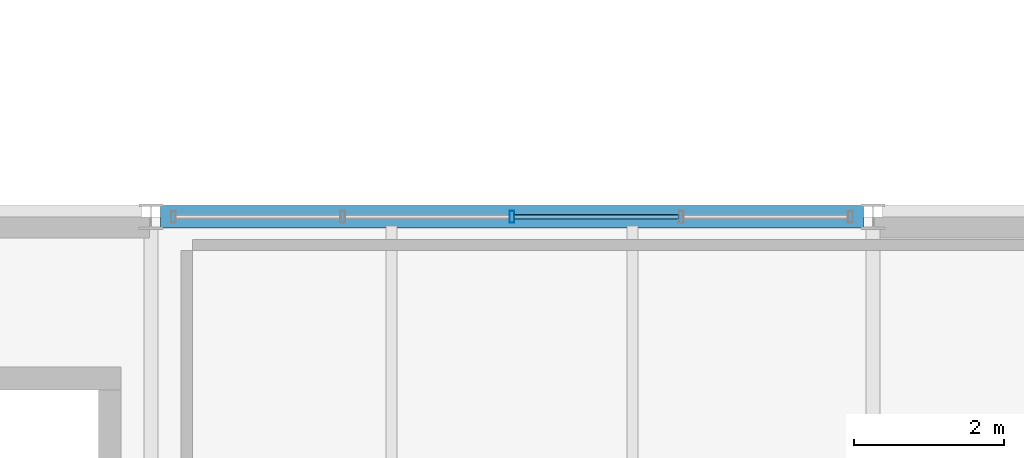
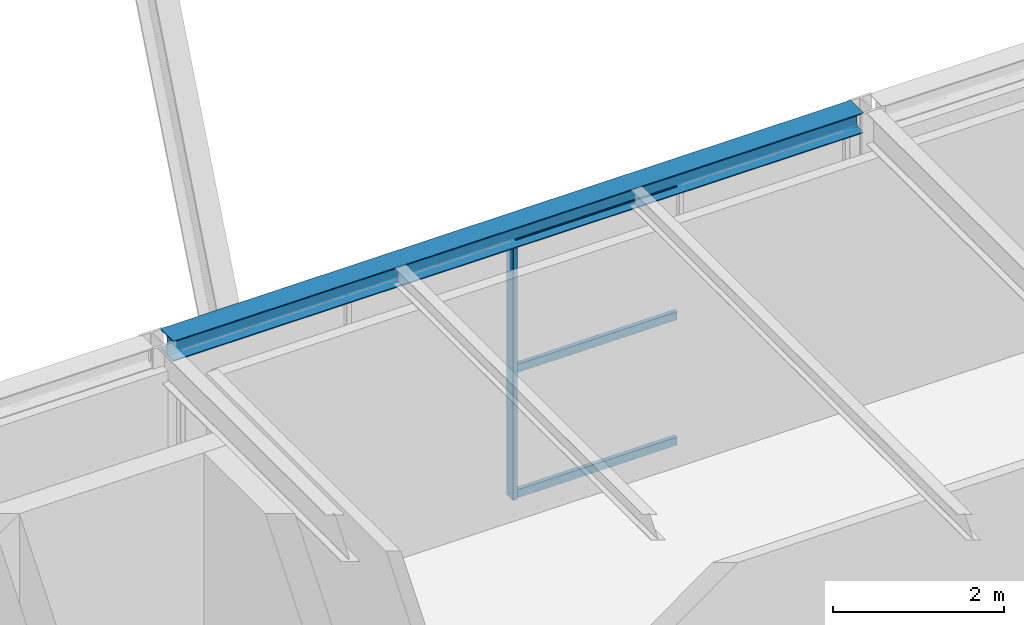
# One storey, part 32 of 126: 4 members, 1 beam, 1 element without a shape of its own.
"""IFC4 building model written with IfcOpenShell, lengths in metres."""

from ifc_helpers import new_model, si_unit, direction, frame, origin, origin_2d, place, context, subcontext, project, spatial, hollow_rectangle, i_section, extrude, material, material_profile, profile_set, type_object, element, aggregate, save


model = new_model("IFC4")

# Units and contexts
model_context = context("Model", 3, precision=1e-05, world=origin(), true_north=direction((0.0, 1.0)))
body_context = subcontext(model_context, "Body", "Model", "MODEL_VIEW")
ifc_project = project(units=[si_unit("LENGTHUNIT", "METRE"), si_unit("AREAUNIT", "SQUARE_METRE"), si_unit("VOLUMEUNIT", "CUBIC_METRE"), si_unit("PLANEANGLEUNIT", "RADIAN"), si_unit("MASSUNIT", "GRAM", prefix="KILO")], contexts=[model_context])

# Site, building, storey
site_placement = place(None, origin())
site = spatial("IfcSite", under=ifc_project, at=site_placement, CompositionType="ELEMENT")
building_placement = place(site_placement, origin())
building = spatial("IfcBuilding", under=site, at=building_placement, Name="Coralgate Yard Interchange", CompositionType="ELEMENT")
storey_placement = place(building_placement, frame((0.0, 0.0, 10.5)))
storey = spatial("IfcBuildingStorey", under=building, at=storey_placement, Name="L02", CompositionType="ELEMENT", Elevation=10.5)

# Beam
ifc_material_1 = material(Name="Structural steel S355J2", Category="steel")
ifc_material_profile_1 = material_profile(ifc_material_1, i_section(OverallWidth=0.300048828125, OverallDepth=0.2900390625, WebThickness=0.008544921875, FlangeThickness=0.013916015625, FilletRadius=0.027099609375, at=origin_2d()), Name="HEA 300")
ifc_profile_set_1 = profile_set([ifc_material_profile_1], Name="Structural steel S355J2")
beam_type = type_object("IfcBeamType", Name="BM-SP-2", PredefinedType="SPANDREL", material=ifc_profile_set_1)
beam_placement = place(storey_placement, frame((57.727294921875, 19.199951171875, 3.804931640625), z_axis=(1.0, 0.0, 0.0), x_axis=(0.0, 1.0, 0.0)))
element("IfcBeam", 1, at=beam_placement, inside=storey, type_object=beam_type, Name="L02 primary grid beam Y2 X6-7", PredefinedType="SPANDREL", context=body_context, shape_type="SweptSolid", body=[
    extrude(i_section(OverallWidth=0.300048828125, OverallDepth=0.2900390625, WebThickness=0.008544921875, FlangeThickness=0.013916015625, FilletRadius=0.027099609375, at=origin_2d()), origin(), (0.0, 0.0, 1.0), 9.345458984375),
])

# Curtain wall, members
ifc_material_2 = material(Name="Anodised coastal aluminium and solar-control low-E glass", Category="aluminium")
curtain_wall_type = type_object("IfcCurtainWallType", Name="CW-CW-L02-A", PredefinedType="NOTDEFINED", material=ifc_material_2)
curtain_wall_placement = place(storey_placement, origin())
curtain_wall = element("IfcCurtainWall", 2, at=curtain_wall_placement, inside=storey, type_object=curtain_wall_type, Name="L02 unitised curtain wall CW-L02-N-06-01", PredefinedType="NOTDEFINED")
ifc_material_3 = material(Name="Anodised coastal aluminium 6063-T6", Category="aluminium")
ifc_material_profile_2 = material_profile(ifc_material_3, hollow_rectangle(XDim=0.06494140625, YDim=0.159912109375, WallThickness=0.00390625, InnerFilletRadius=0.00390625, OuterFilletRadius=0.008056640625, at=origin_2d()), Name="ALU 65x160x4")
ifc_profile_set_2 = profile_set([ifc_material_profile_2], Name="Anodised coastal aluminium 6063-T6")
member_type_1 = type_object("IfcMemberType", Name="MB-MUL-160", PredefinedType="MULLION", material=ifc_profile_set_2)
member_1_placement = place(storey_placement, frame((62.39990234375, 19.199951171875, 0.0), z_axis=(0.0, 0.0, 1.0), x_axis=(1.0, 0.0, 0.0)))
member_1 = element("IfcMember", 3, at=member_1_placement, type_object=member_type_1, Name="CW-L02-N-06-01 vertical mullion 3", PredefinedType="MULLION", context=body_context, shape_type="SweptSolid", body=[
    extrude(hollow_rectangle(XDim=0.06494140625, YDim=0.159912109375, WallThickness=0.00390625, InnerFilletRadius=0.00390625, OuterFilletRadius=0.008056640625, at=origin_2d()), origin(), (0.0, 0.0, 1.0), 3.659912109375),
])
ifc_material_profile_3 = material_profile(ifc_material_3, hollow_rectangle(XDim=0.06005859375, YDim=0.1201171875, WallThickness=0.00341796875, InnerFilletRadius=0.00341796875, OuterFilletRadius=0.007080078125, at=origin_2d()), Name="ALU 60x120x3.5")
ifc_profile_set_3 = profile_set([ifc_material_profile_3], Name="Anodised coastal aluminium 6063-T6")
member_type_2 = type_object("IfcMemberType", Name="MB-TRN-120", PredefinedType="USERDEFINED", material=ifc_profile_set_3)
member_2_placement = place(storey_placement, frame((62.429931640625, 19.199951171875, 0.034912109375), z_axis=(1.0, 0.0, 0.0), x_axis=(0.0, 1.0, 0.0)))
member_2 = element("IfcMember", 4, at=member_2_placement, type_object=member_type_2, Name="CW-L02-N-06-01 horizontal transom 3-1", ObjectType="TRANSOM", PredefinedType="USERDEFINED", context=body_context, shape_type="SweptSolid", body=[
    extrude(hollow_rectangle(XDim=0.06005859375, YDim=0.1201171875, WallThickness=0.00341796875, InnerFilletRadius=0.00341796875, OuterFilletRadius=0.007080078125, at=origin_2d()), origin(), (0.0, 0.0, 1.0), 2.190185546875),
])
member_3_placement = place(storey_placement, frame((62.429931640625, 19.199951171875, 1.830078125), z_axis=(1.0, 0.0, 0.0), x_axis=(0.0, 1.0, 0.0)))
member_3 = element("IfcMember", 5, at=member_3_placement, type_object=member_type_2, Name="CW-L02-N-06-01 horizontal transom 3-2", ObjectType="TRANSOM", PredefinedType="USERDEFINED", context=body_context, shape_type="SweptSolid", body=[
    extrude(hollow_rectangle(XDim=0.06005859375, YDim=0.1201171875, WallThickness=0.00341796875, InnerFilletRadius=0.00341796875, OuterFilletRadius=0.007080078125, at=origin_2d()), origin(), (0.0, 0.0, 1.0), 2.190185546875),
])
member_4_placement = place(storey_placement, frame((62.429931640625, 19.199951171875, 3.625), z_axis=(1.0, 0.0, 0.0), x_axis=(0.0, 1.0, 0.0)))
member_4 = element("IfcMember", 6, at=member_4_placement, type_object=member_type_2, Name="CW-L02-N-06-01 horizontal transom 3-3", ObjectType="TRANSOM", PredefinedType="USERDEFINED", context=body_context, shape_type="SweptSolid", body=[
    extrude(hollow_rectangle(XDim=0.06005859375, YDim=0.1201171875, WallThickness=0.00341796875, InnerFilletRadius=0.00341796875, OuterFilletRadius=0.007080078125, at=origin_2d()), origin(), (0.0, 0.0, 1.0), 2.190185546875),
])
aggregate(curtain_wall, [member_1, member_2, member_3, member_4])

save(model, "model.ifc")
